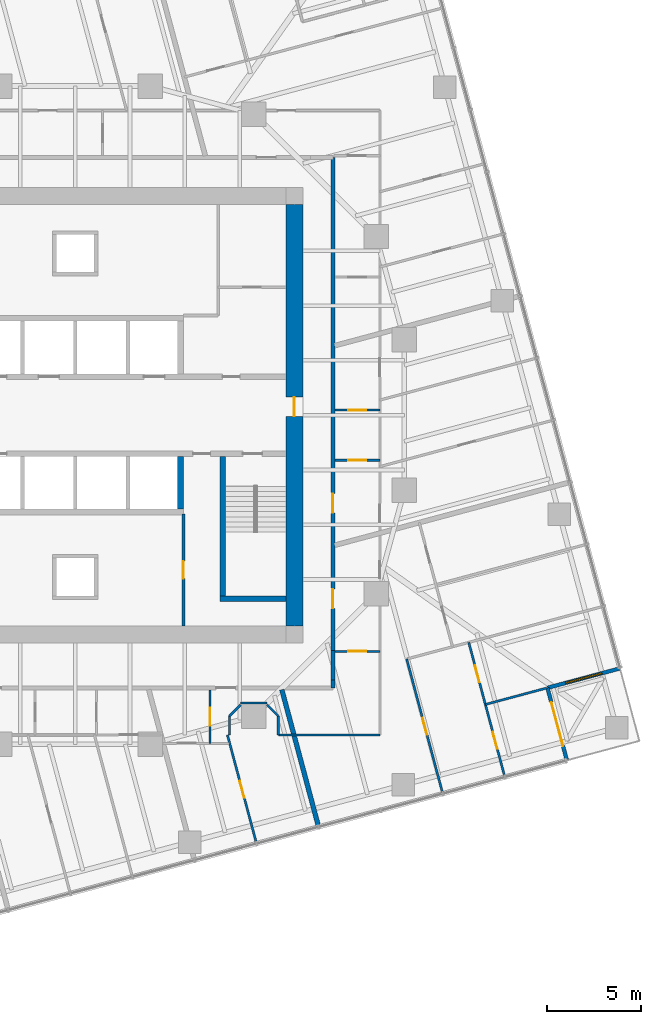
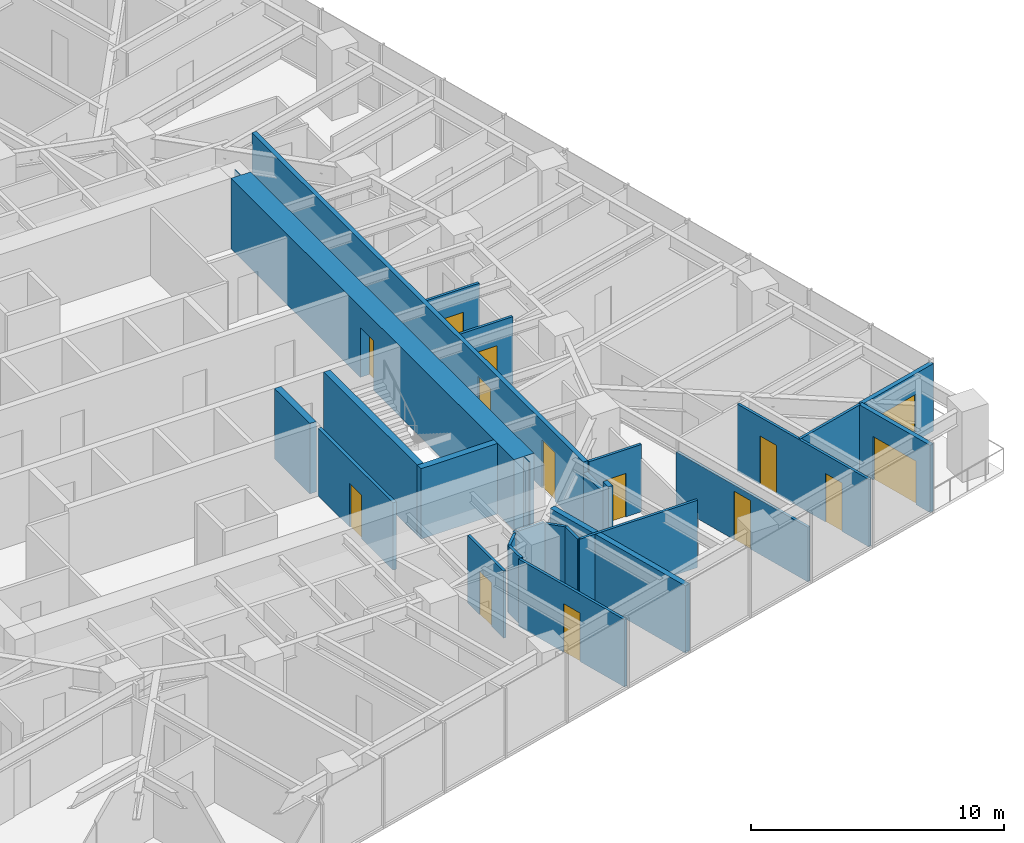
# One storey, part 10 of 14: 25 walls, 13 doors, 1 window, 14 openings.
"""IFC4 building model written with IfcOpenShell, lengths in metres."""

import ifcopenshell
import ifcopenshell.guid

model = None  # the IFC model being written
_history = None  # IfcOwnerHistory: only IFC2X3 demands one
_inside = {}  # id of a spatial element -> (the spatial element, [elements in it])
_under = {}  # id of a project, library or spatial element -> (it, [spatial elements below it])
_declared = {}  # id of a project -> (the project, [libraries it declares])
_typed = {}  # id of a type object -> (the type object, [elements of that type])
_made_of = {}  # id of a material, layer set ... -> (it, [elements and type objects made of it])


def new_model(schema):
    """Start an empty IFC model of exactly this schema.

    Asked for "IFC4X3", IfcOpenShell would pick the latest addendum, in which some entities
    have other attributes; the version numbers below select the first issue.
    IFC2X3 requires an IfcOwnerHistory on every rooted entity: one is made here for all.
    """
    global model, _history
    if schema == "IFC4X3":
        model = ifcopenshell.file(schema_version=(4, 3, 0, 0))
    else:
        model = ifcopenshell.file(schema=schema)
    _inside.clear()
    _under.clear()
    _declared.clear()
    _typed.clear()
    _made_of.clear()
    _history = None
    if model.schema == "IFC2X3":
        org = make("IfcOrganization", Name="unknown")
        user = make(
            "IfcPersonAndOrganization",
            ThePerson=make("IfcPerson", FamilyName="unknown"),
            TheOrganization=org,
        )
        app = make(
            "IfcApplication",
            ApplicationDeveloper=org,
            Version="unknown",
            ApplicationFullName="unknown",
            ApplicationIdentifier="unknown",
        )
        _history = make(
            "IfcOwnerHistory",
            OwningUser=user,
            OwningApplication=app,
            ChangeAction="ADDED",
            CreationDate=0,
        )
    return model


def make(cls, **values):
    """One entity of the class cls with the attributes given. An attribute that is None is left unset."""
    return model.create_entity(
        cls, **{name: value for name, value in values.items() if value is not None}
    )


def rooted(cls, **values):
    """An entity with a GlobalId (a new one), such as an element, a storey or a relation."""
    return make(cls, GlobalId=ifcopenshell.guid.new(), OwnerHistory=_history, **values)


def si_unit(unit_type, name, prefix=None):
    """IfcSIUnit, for example si_unit("LENGTHUNIT", "METRE", prefix="MILLI")."""
    return make("IfcSIUnit", UnitType=unit_type, Prefix=prefix, Name=name)


def assignment(units):
    """IfcUnitAssignment: the units of a project."""
    return None if units is None else make("IfcUnitAssignment", Units=units)


def point(xyz):
    """IfcCartesianPoint."""
    return None if xyz is None else make("IfcCartesianPoint", Coordinates=xyz)


def direction(xyz):
    """IfcDirection."""
    return None if xyz is None else make("IfcDirection", DirectionRatios=xyz)


def frame(location, z_axis=None, x_axis=None):
    """IfcAxis2Placement3D, a coordinate frame: its origin and axes. An axis left out is left unset."""
    return make(
        "IfcAxis2Placement3D",
        Location=point(location),
        Axis=direction(z_axis),
        RefDirection=direction(x_axis),
    )


def frame_2d(location, x_axis=None):
    """IfcAxis2Placement2D, a coordinate frame in the plane: its origin and x axis."""
    return make(
        "IfcAxis2Placement2D", Location=point(location), RefDirection=direction(x_axis)
    )


def origin():
    """The frame at (0, 0, 0) with its axes left unset."""
    return frame((0.0, 0.0, 0.0))


def place(relative_to, where):
    """IfcLocalPlacement: puts the frame where relative to a parent placement (None: the world)."""
    return make(
        "IfcLocalPlacement", PlacementRelTo=relative_to, RelativePlacement=where
    )


def context(
    kind, dimensions, precision=None, world=None, true_north=None, identifier=None
):
    """IfcGeometricRepresentationContext, for example the 3D "Model" context."""
    return make(
        "IfcGeometricRepresentationContext",
        ContextIdentifier=identifier,
        ContextType=kind,
        CoordinateSpaceDimension=dimensions,
        Precision=precision,
        WorldCoordinateSystem=world,
        TrueNorth=true_north,
    )


def subcontext(parent, identifier, kind, view, scale=None):
    """IfcGeometricRepresentationSubContext, for example "Body" below "Model"."""
    return make(
        "IfcGeometricRepresentationSubContext",
        ContextIdentifier=identifier,
        ContextType=kind,
        ParentContext=parent,
        TargetScale=scale,
        TargetView=view,
    )


def project(units=None, contexts=None):
    """IfcProject with its units and contexts."""
    return rooted(
        "IfcProject",
        Name="project",
        RepresentationContexts=contexts,
        UnitsInContext=assignment(units),
    )


def spatial(cls, under=None, at=None, **own):
    """A site, building, storey or space (cls), placed at a placement, below another one or the project."""
    s = rooted(cls, ObjectPlacement=at, **own)
    if under is not None:
        _under.setdefault(under.id(), (under, []))[1].append(s)
    return s


def polyline(points):
    """IfcPolyline through the points."""
    return make("IfcPolyline", Points=[point(p) for p in points])


def profile(cls, at=None, kind="AREA", **sizes):
    """A parametric profile (cls). Its sizes go by their IFC names, for example OverallWidth=200.0."""
    return make(cls, ProfileType=kind, Position=at, **sizes)


def rectangle(**sizes):
    """IfcRectangleProfileDef."""
    return profile("IfcRectangleProfileDef", **sizes)


def outline(outer, holes=None, kind="AREA"):
    """IfcArbitraryClosedProfileDef: a profile drawn as a closed curve; with holes, ...WithVoids."""
    if holes is None:
        return make("IfcArbitraryClosedProfileDef", ProfileType=kind, OuterCurve=outer)
    return make(
        "IfcArbitraryProfileDefWithVoids",
        ProfileType=kind,
        OuterCurve=outer,
        InnerCurves=holes,
    )


def extrude(swept, where, along, depth):
    """IfcExtrudedAreaSolid: the profile swept, set in the frame where, extruded along a direction by depth."""
    return make(
        "IfcExtrudedAreaSolid",
        SweptArea=swept,
        Position=where,
        ExtrudedDirection=direction(along),
        Depth=depth,
    )


def shape(context_of_items, identifier, shape_type, items):
    """IfcShapeRepresentation: the items that make up one representation, for example the "Body"."""
    return make(
        "IfcShapeRepresentation",
        ContextOfItems=context_of_items,
        RepresentationIdentifier=identifier,
        RepresentationType=shape_type,
        Items=items,
    )


def material(Name=None, Category=None):
    """IfcMaterial."""
    return make("IfcMaterial", Name=Name, Category=Category)


def layer(
    of_material, thickness, ventilated=None, Name=None, Category=None, Priority=None
):
    """IfcMaterialLayer: one layer of a wall or slab, of a material (None: an air gap)."""
    return make(
        "IfcMaterialLayer",
        Material=of_material,
        LayerThickness=thickness,
        IsVentilated=ventilated,
        Name=Name,
        Category=Category,
        Priority=Priority,
    )


def layer_set(layers, Name=None):
    """IfcMaterialLayerSet."""
    return make("IfcMaterialLayerSet", MaterialLayers=layers, LayerSetName=Name)


def made_of(thing, what):
    """Note that an element or type object is made of a material, layer set ...; save() writes the relation."""
    if what is not None:
        _made_of.setdefault(what.id(), (what, []))[1].append(thing)
    return thing


def type_object(cls, material=None, **own):
    """A type object (cls), such as IfcWallType, which elements share."""
    return made_of(rooted(cls, **own), material)


def element(
    cls,
    number,
    at=None,
    inside=None,
    cuts=None,
    type_object=None,
    material=None,
    context=None,
    identifier="Body",
    shape_type=None,
    held_by="IfcProductDefinitionShape",
    body=None,
    shapes=None,
    **own,
):
    """One element of the class cls, such as IfcWall. Its Tag is "e" and its number.

    at: its placement. inside: the storey or other place that contains it. cuts: it is an
    opening in that element (IfcRelVoidsElement). A single representation is given by context,
    identifier, shape_type and body (its items); several are given by shapes. held_by: the class
    of the entity that holds the representations. save() writes the other relations.
    """
    e = rooted(cls, Tag="e%d" % number, ObjectPlacement=at, **own)
    if body is not None:
        shapes = [shape(context, identifier, shape_type, body)]
    if shapes is not None:
        e.Representation = make(held_by, Representations=shapes)
    if inside is not None:
        _inside.setdefault(inside.id(), (inside, []))[1].append(e)
    if cuts is not None:
        rooted(
            "IfcRelVoidsElement", RelatingBuildingElement=cuts, RelatedOpeningElement=e
        )
    if type_object is not None:
        _typed.setdefault(type_object.id(), (type_object, []))[1].append(e)
    return made_of(e, material)


def fill(opening, filler):
    """IfcRelFillsElement: the door or window that sits in an opening."""
    return rooted(
        "IfcRelFillsElement",
        RelatingOpeningElement=opening,
        RelatedBuildingElement=filler,
    )


def aggregate(whole, parts):
    """IfcRelAggregates: a whole, such as a stair, and the parts it consists of."""
    return rooted("IfcRelAggregates", RelatingObject=whole, RelatedObjects=parts)


def save(model, path):
    """Write the relations noted so far, then the file.

    IfcRelAggregates (storeys below a building ...), IfcRelContainedInSpatialStructure (elements
    in a storey), IfcRelDefinesByType, IfcRelAssociatesMaterial and IfcRelDeclares: one each for
    every whole, place, type object, material and project.
    """
    for whole, parts in _under.values():
        aggregate(whole, parts)
    for where, things in _inside.values():
        rooted(
            "IfcRelContainedInSpatialStructure",
            RelatedElements=things,
            RelatingStructure=where,
        )
    for kind, things in _typed.values():
        rooted("IfcRelDefinesByType", RelatedObjects=things, RelatingType=kind)
    for what, things in _made_of.values():
        rooted("IfcRelAssociatesMaterial", RelatedObjects=things, RelatingMaterial=what)
    for by, libraries in _declared.values():
        rooted("IfcRelDeclares", RelatingContext=by, RelatedDefinitions=libraries)
    model.write(path)


model = new_model("IFC4")

# Units and contexts
model_context = context("Model", 3, precision=1e-05, world=origin(), true_north=direction((0.0, 1.0)))
body_context = subcontext(model_context, "Body", "Model", "MODEL_VIEW")
ifc_project = project(units=[si_unit("LENGTHUNIT", "METRE"), si_unit("AREAUNIT", "SQUARE_METRE"), si_unit("VOLUMEUNIT", "CUBIC_METRE"), si_unit("PLANEANGLEUNIT", "RADIAN"), si_unit("MASSUNIT", "GRAM", prefix="KILO")], contexts=[model_context])

# Site, building, storey
site_placement = place(None, origin())
site = spatial("IfcSite", under=ifc_project, at=site_placement, CompositionType="ELEMENT")
building_placement = place(site_placement, origin())
building = spatial("IfcBuilding", under=site, at=building_placement, Name="Torsade Residences", CompositionType="ELEMENT")
storey_placement = place(building_placement, frame((0.0, 0.0, 125.199951171875)))
storey = spatial("IfcBuildingStorey", under=building, at=storey_placement, Name="L34", CompositionType="ELEMENT", Elevation=125.199951171875)

# Walls
ifc_material_1 = material(Name="Concrete 80 MPa", Category="concrete")
ifc_layer_1 = layer(ifc_material_1, 0.300048828125)
ifc_layer_set_1 = layer_set([ifc_layer_1], Name="Concrete 80 MPa")
wall_type_1 = type_object("IfcWallType", Name="CORE INTERNAL WALL 300", PredefinedType="SHEAR", material=ifc_layer_set_1)
wall_1_placement = place(storey_placement, frame((45.60009765625, 27.800048828125, 0.0), z_axis=(0.0, 0.0, 1.0), x_axis=(0.0, -1.0, 0.0)))
element("IfcWall", 1, at=wall_1_placement, inside=storey, type_object=wall_type_1, Name="Core wall DS0 L34", PredefinedType="SHEAR", context=body_context, shape_type="SweptSolid", body=[
    extrude(rectangle(XDim=2.800048828125, YDim=0.300048828125, at=frame_2d((1.39990234375, 0.0))), origin(), (0.0, 0.0, 1.0), 3.400146484375),
])
wall_2_placement = place(storey_placement, frame((47.85009765625, 27.800048828125, 0.0), z_axis=(0.0, 0.0, 1.0), x_axis=(0.0, -1.0, 0.0)))
element("IfcWall", 2, at=wall_2_placement, inside=storey, type_object=wall_type_1, Name="Core wall ST2W L34", PredefinedType="SHEAR", context=body_context, shape_type="SweptSolid", body=[
    extrude(rectangle(XDim=7.699951171875, YDim=0.300048828125, at=frame_2d((3.85009765625, 0.0))), origin(), (0.0, 0.0, 1.0), 3.400146484375),
])
wall_3_placement = place(storey_placement, frame((51.199951171875, 20.25, 0.0), z_axis=(0.0, 0.0, 1.0), x_axis=(-1.0, 0.0, 0.0)))
element("IfcWall", 3, at=wall_3_placement, inside=storey, type_object=wall_type_1, Name="Core wall ST2S L34", PredefinedType="SHEAR", context=body_context, shape_type="SweptSolid", body=[
    extrude(rectangle(XDim=3.5, YDim=0.300048828125, at=frame_2d((1.75, 0.0))), origin(), (0.0, 0.0, 1.0), 3.400146484375),
])

# Wall, opening, door
ifc_material_2 = material(Name="Concrete 80 MPa", Category="concrete")
ifc_layer_2 = layer(ifc_material_2, 0.89990234375)
ifc_layer_set_2 = layer_set([ifc_layer_2], Name="Concrete 80 MPa")
wall_type_2 = type_object("IfcWallType", Name="CORE WALL 900", PredefinedType="SHEAR", material=ifc_layer_set_2)
wall_4_placement = place(storey_placement, frame((51.64990234375, 18.800048828125, 0.0), z_axis=(0.0, 0.0, 1.0), x_axis=(0.0, 1.0, 0.0)))
wall_4 = element("IfcWall", 4, at=wall_4_placement, inside=storey, type_object=wall_type_2, Name="Core wall E L34", PredefinedType="SHEAR", context=body_context, shape_type="SweptSolid", body=[
    extrude(outline(polyline([(0.0, -0.449951171875), (22.39990234375, -0.449951171875), (22.39990234375, -0.02490234375), (22.849853515625, -0.02490234375), (22.849853515625, 0.02490234375), (22.39990234375, 0.02490234375), (22.39990234375, 0.449951171875), (0.0, 0.449951171875), (0.0, 0.02490234375), (-0.449951171875, 0.02490234375), (-0.449951171875, -0.02490234375), (0.0, -0.02490234375), (0.0, -0.449951171875)])), origin(), (0.0, 0.0, 1.0), 3.400146484375),
])
opening_1_placement = place(wall_4_placement, frame((11.139892578125, 0.0, 0.0)))
opening_1 = element("IfcOpeningElement", 5, at=opening_1_placement, cuts=wall_4, Name="Opening D04", PredefinedType="OPENING", context=body_context, shape_type="SweptSolid", body=[
    extrude(rectangle(XDim=1.02001953125, YDim=2.39990234375, at=frame_2d((0.510009765625, 1.199951171875))), frame((0.0, 0.4599609375, 0.0), z_axis=(0.0, -1.0, 0.0), x_axis=(1.0, 0.0, 0.0)), (0.0, 0.0, 1.0), 0.919921875),
])
ifc_material_3 = material(Name="Steel-framed fire door", Category="steel")
door_type_1 = type_object("IfcDoorType", Name="LOBBY SMOKE DOOR 1020x2400", OperationType="NOTDEFINED", PredefinedType="DOOR", material=ifc_material_3)
door_1_placement = place(opening_1_placement, origin())
door_1 = element("IfcDoor", 6, at=door_1_placement, inside=storey, type_object=door_type_1, Name="Lift lobby door E L34", OperationType="SINGLE_SWING_LEFT", OverallHeight=2.39990234375, OverallWidth=1.02001953125, PredefinedType="DOOR", context=body_context, shape_type="SweptSolid", body=[
    extrude(rectangle(XDim=1.02001953125, YDim=2.39990234375, at=frame_2d((0.510009765625, 1.199951171875))), frame((0.0, 0.02490234375, 0.0), z_axis=(0.0, -1.0, 0.0), x_axis=(1.0, 0.0, 0.0)), (0.0, 0.0, 1.0), 0.050048828125),
])
fill(opening_1, door_1)

# Walls
ifc_material_4 = material(Name="Plasterboard on steel stud", Category="steel")
ifc_layer_3 = layer(ifc_material_4, 0.199951171875)
ifc_layer_set_3 = layer_set([ifc_layer_3], Name="Plasterboard on steel stud")
wall_type_3 = type_object("IfcWallType", Name="CORRIDOR WALL 200", PredefinedType="PARTITIONING", material=ifc_layer_set_3)
wall_5_placement = place(storey_placement, frame((53.699951171875, 15.5, 0.0), z_axis=(0.0, 0.0, 1.0), x_axis=(0.0, 1.0, 0.0)))
element("IfcWall", 7, at=wall_5_placement, inside=storey, type_object=wall_type_3, Name="Corridor wall L34", PredefinedType="PARTITIONING", context=body_context, shape_type="SweptSolid", body=[
    extrude(rectangle(XDim=0.426025390625, YDim=0.199951171875, at=frame_2d((0.212890625, 0.0))), origin(), (0.0, 0.0, 1.0), 3.25),
])
wall_6_placement = place(storey_placement, frame((53.699951171875, 15.926025390625, 0.0), z_axis=(0.0, 0.0, 1.0), x_axis=(0.0, 1.0, 0.0)))
element("IfcWall", 8, at=wall_6_placement, inside=storey, type_object=wall_type_3, Name="Corridor wall L34", PredefinedType="PARTITIONING", context=body_context, shape_type="SweptSolid", body=[
    extrude(rectangle(XDim=1.553955078125, YDim=0.199951171875, at=frame_2d((0.77685546875, 0.0))), origin(), (0.0, 0.0, 1.0), 2.72216796875),
])

# Wall, openings, doors
wall_7_placement = place(storey_placement, frame((53.699951171875, 17.47998046875, 0.0), z_axis=(0.0, 0.0, 1.0), x_axis=(0.0, 1.0, 0.0)))
wall_7 = element("IfcWall", 9, at=wall_7_placement, inside=storey, type_object=wall_type_3, Name="Corridor wall L34", PredefinedType="PARTITIONING", context=body_context, shape_type="SweptSolid", body=[
    extrude(rectangle(XDim=26.219970703125, YDim=0.199951171875, at=frame_2d((13.10986328125, 0.0))), origin(), (0.0, 0.0, 1.0), 3.25),
])
opening_2_placement = place(wall_7_placement, frame((2.251708984375, 0.0, 0.0)))
opening_2 = element("IfcOpeningElement", 10, at=opening_2_placement, cuts=wall_7, Name="Opening D01", PredefinedType="OPENING", context=body_context, shape_type="SweptSolid", body=[
    extrude(rectangle(XDim=1.02001953125, YDim=2.340087890625, at=frame_2d((0.510009765625, 1.169921875))), frame((0.0, 0.10986328125, 0.0), z_axis=(0.0, -1.0, 0.0), x_axis=(1.0, 0.0, 0.0)), (0.0, 0.0, 1.0), 0.219970703125),
])
opening_3_placement = place(wall_7_placement, frame((7.32763671875, 0.0, 0.0)))
opening_3 = element("IfcOpeningElement", 11, at=opening_3_placement, cuts=wall_7, Name="Opening D01", PredefinedType="OPENING", context=body_context, shape_type="SweptSolid", body=[
    extrude(rectangle(XDim=1.02001953125, YDim=2.340087890625, at=frame_2d((0.510009765625, 1.169921875))), frame((0.0, 0.10986328125, 0.0), z_axis=(0.0, -1.0, 0.0), x_axis=(1.0, 0.0, 0.0)), (0.0, 0.0, 1.0), 0.219970703125),
])
ifc_material_5 = material(Name="Solid-core timber fire door", Category="wood")
door_type_2 = type_object("IfcDoorType", Name="APARTMENT ENTRY DOOR 1020x2340", OperationType="NOTDEFINED", PredefinedType="DOOR", material=ifc_material_5)
door_2_placement = place(opening_2_placement, origin())
door_2 = element("IfcDoor", 12, at=door_2_placement, inside=storey, type_object=door_type_2, Name="Door Residential corridor to Kitchen and dining", OperationType="SINGLE_SWING_LEFT", OverallHeight=2.340087890625, OverallWidth=1.02001953125, PredefinedType="DOOR", context=body_context, shape_type="SweptSolid", body=[
    extrude(rectangle(XDim=1.02001953125, YDim=2.340087890625, at=frame_2d((0.510009765625, 1.169921875))), frame((0.0, 0.02490234375, 0.0), z_axis=(0.0, -1.0, 0.0), x_axis=(1.0, 0.0, 0.0)), (0.0, 0.0, 1.0), 0.050048828125),
])
fill(opening_2, door_2)
door_3_placement = place(opening_3_placement, origin())
door_3 = element("IfcDoor", 13, at=door_3_placement, inside=storey, type_object=door_type_2, Name="Door Residential corridor to Kitchen and dining", OperationType="SINGLE_SWING_LEFT", OverallHeight=2.340087890625, OverallWidth=1.02001953125, PredefinedType="DOOR", context=body_context, shape_type="SweptSolid", body=[
    extrude(rectangle(XDim=1.02001953125, YDim=2.340087890625, at=frame_2d((0.510009765625, 1.169921875))), frame((0.0, 0.02490234375, 0.0), z_axis=(0.0, -1.0, 0.0), x_axis=(1.0, 0.0, 0.0)), (0.0, 0.0, 1.0), 0.050048828125),
])
fill(opening_3, door_3)

# Wall, opening, door
ifc_material_6 = material(Name="Plasterboard on steel stud", Category="steel")
ifc_layer_4 = layer(ifc_material_6, 0.1201171875)
ifc_layer_set_4 = layer_set([ifc_layer_4], Name="Plasterboard on steel stud")
wall_type_4 = type_object("IfcWallType", Name="PARTITION 120", PredefinedType="PARTITIONING", material=ifc_layer_set_4)
wall_8_placement = place(storey_placement, frame((47.1669921875, 12.550048828125, 0.0), z_axis=(0.0, 0.0, 1.0), x_axis=(0.0, 1.0, 0.0)))
wall_8 = element("IfcWall", 14, at=wall_8_placement, inside=storey, type_object=wall_type_4, Name="Partition L34", PredefinedType="PARTITIONING", context=body_context, shape_type="SweptSolid", body=[
    extrude(rectangle(XDim=2.849853515625, YDim=0.1201171875, at=frame_2d((1.4248046875, 0.0))), origin(), (0.0, 0.0, 1.0), 3.25),
])
opening_4_placement = place(wall_8_placement, frame((0.945068359375, 0.0, 0.0)))
opening_4 = element("IfcOpeningElement", 15, at=opening_4_placement, cuts=wall_8, Name="Opening D05", PredefinedType="OPENING", context=body_context, shape_type="SweptSolid", body=[
    extrude(rectangle(XDim=0.9599609375, YDim=2.10009765625, at=frame_2d((0.47998046875, 1.050048828125))), frame((0.0, 0.070068359375, 0.0), z_axis=(0.0, -1.0, 0.0), x_axis=(1.0, 0.0, 0.0)), (0.0, 0.0, 1.0), 0.14013671875),
])
ifc_material_7 = material(Name="Hollow-core timber door in a steel cavity frame", Category="steel")
door_type_3 = type_object("IfcDoorType", Name="BATHROOM CAVITY SLIDING DOOR 960", OperationType="SLIDING_TO_LEFT", PredefinedType="DOOR", material=ifc_material_7)
door_4_placement = place(opening_4_placement, origin())
door_4 = element("IfcDoor", 16, at=door_4_placement, inside=storey, type_object=door_type_3, Name="Door Kitchen and dining to Bathroom", OperationType="SLIDING_TO_LEFT", OverallHeight=2.10009765625, OverallWidth=0.9599609375, PredefinedType="DOOR", context=body_context, shape_type="SweptSolid", body=[
    extrude(rectangle(XDim=0.9599609375, YDim=2.10009765625, at=frame_2d((0.47998046875, 1.050048828125))), frame((0.0, 0.02490234375, 0.0), z_axis=(0.0, -1.0, 0.0), x_axis=(1.0, 0.0, 0.0)), (0.0, 0.0, 1.0), 0.050048828125),
])
fill(opening_4, door_4)

# Walls
wall_9_placement = place(storey_placement, frame((56.199951171875, 13.0, 0.0), z_axis=(0.0, 0.0, 1.0), x_axis=(-1.0, 0.0, 0.0)))
element("IfcWall", 17, at=wall_9_placement, inside=storey, type_object=wall_type_4, Name="Partition L34", PredefinedType="PARTITIONING", context=body_context, shape_type="SweptSolid", body=[
    extrude(rectangle(XDim=5.39990234375, YDim=0.1201171875, at=frame_2d((2.699951171875, 0.0))), origin(), (0.0, 0.0, 1.0), 3.25),
])
wall_10_placement = place(storey_placement, frame((50.800048828125, 13.0, 0.0), z_axis=(0.0, 0.0, 1.0), x_axis=(0.0, 1.0, 0.0)))
element("IfcWall", 18, at=wall_10_placement, inside=storey, type_object=wall_type_4, Name="Partition L34", PredefinedType="PARTITIONING", context=body_context, shape_type="SweptSolid", body=[
    extrude(rectangle(XDim=1.0, YDim=0.1201171875, at=frame_2d((0.5, 0.0))), origin(), (0.0, 0.0, 1.0), 3.25),
])
wall_11_placement = place(storey_placement, frame((50.800048828125, 14.0, 0.0), z_axis=(0.0, 0.0, 1.0), x_axis=(-0.707106781187, 0.707106781187, 0.0)))
element("IfcWall", 19, at=wall_11_placement, inside=storey, type_object=wall_type_4, Name="Partition L34", PredefinedType="PARTITIONING", context=body_context, shape_type="SweptSolid", body=[
    extrude(rectangle(XDim=0.8486328125, YDim=0.1201171875, at=frame_2d((0.42431640625, 0.0))), origin(), (0.0, 0.0, 1.0), 3.25),
])
wall_12_placement = place(storey_placement, frame((50.199951171875, 14.699951171875, 0.0), z_axis=(0.0, 0.0, 1.0), x_axis=(-1.0, 0.0, 0.0)))
element("IfcWall", 20, at=wall_12_placement, inside=storey, type_object=wall_type_4, Name="Partition L34", PredefinedType="PARTITIONING", context=body_context, shape_type="SweptSolid", body=[
    extrude(rectangle(XDim=1.39990234375, YDim=0.1201171875, at=frame_2d((0.699951171875, 0.0))), origin(), (0.0, 0.0, 1.0), 3.25),
])
wall_13_placement = place(storey_placement, frame((48.800048828125, 14.60009765625, 0.0), z_axis=(0.0, 0.0, 1.0), x_axis=(-0.707106781187, -0.707106781187, 0.0)))
element("IfcWall", 21, at=wall_13_placement, inside=storey, type_object=wall_type_4, Name="Partition L34", PredefinedType="PARTITIONING", context=body_context, shape_type="SweptSolid", body=[
    extrude(rectangle(XDim=0.8486328125, YDim=0.1201171875, at=frame_2d((0.42431640625, 0.0))), origin(), (0.0, 0.0, 1.0), 3.25),
])
wall_14_placement = place(storey_placement, frame((48.199951171875, 14.0, 0.0), z_axis=(0.0, 0.0, 1.0), x_axis=(0.0, -1.0, 0.0)))
element("IfcWall", 22, at=wall_14_placement, inside=storey, type_object=wall_type_4, Name="Partition L34", PredefinedType="PARTITIONING", context=body_context, shape_type="SweptSolid", body=[
    extrude(rectangle(XDim=1.0, YDim=0.1201171875, at=frame_2d((0.5, 0.0))), origin(), (0.0, 0.0, 1.0), 3.25),
])

# Wall, opening, door
wall_15_placement = place(storey_placement, frame((48.09228515625, 13.0, 0.0), z_axis=(0.0, 0.0, 1.0), x_axis=(0.258812722515, -0.965927520399, 0.0)))
wall_15 = element("IfcWall", 23, at=wall_15_placement, inside=storey, type_object=wall_type_4, Name="Partition L34", PredefinedType="PARTITIONING", context=body_context, shape_type="SweptSolid", body=[
    extrude(rectangle(XDim=5.94482421875, YDim=0.1201171875, at=frame_2d((2.972412109375, 0.0))), origin(), (0.0, 0.0, 1.0), 3.25),
])
opening_5_placement = place(wall_15_placement, frame((2.532470703125, 0.0, 0.0)))
opening_5 = element("IfcOpeningElement", 24, at=opening_5_placement, cuts=wall_15, Name="Opening D02", PredefinedType="OPENING", context=body_context, shape_type="SweptSolid", body=[
    extrude(rectangle(XDim=0.919921875, YDim=2.340087890625, at=frame_2d((0.4599609375, 1.169921875))), frame((0.0, 0.070068359375, 0.0), z_axis=(0.0, -1.0, 0.0), x_axis=(1.0, 0.0, 0.0)), (0.0, 0.0, 1.0), 0.14013671875),
])
ifc_material_8 = material(Name="Hollow-core timber door", Category="wood")
door_type_4 = type_object("IfcDoorType", Name="INTERNAL DOOR 920x2340", OperationType="NOTDEFINED", PredefinedType="DOOR", material=ifc_material_8)
door_5_placement = place(opening_5_placement, origin())
door_5 = element("IfcDoor", 25, at=door_5_placement, inside=storey, type_object=door_type_4, Name="Door Living room to Bedroom 1", OperationType="SINGLE_SWING_LEFT", OverallHeight=2.340087890625, OverallWidth=0.919921875, PredefinedType="DOOR", context=body_context, shape_type="SweptSolid", body=[
    extrude(rectangle(XDim=0.919921875, YDim=2.340087890625, at=frame_2d((0.4599609375, 1.169921875))), frame((0.0, 0.02490234375, 0.0), z_axis=(0.0, -1.0, 0.0), x_axis=(1.0, 0.0, 0.0)), (0.0, 0.0, 1.0), 0.050048828125),
])
fill(opening_5, door_5)

wall_16_placement = place(storey_placement, frame((56.199951171875, 17.441650390625, 0.0), z_axis=(0.0, 0.0, 1.0), x_axis=(-1.0, 0.0, 0.0)))
wall_16 = element("IfcWall", 26, at=wall_16_placement, inside=storey, type_object=wall_type_4, Name="Partition L34", PredefinedType="PARTITIONING", context=body_context, shape_type="SweptSolid", body=[
    extrude(rectangle(XDim=2.39990234375, YDim=0.1201171875, at=frame_2d((1.199951171875, 0.0))), origin(), (0.0, 0.0, 1.0), 3.25),
])
opening_6_placement = place(wall_16_placement, frame((0.719970703125, 0.0, 0.0)))
opening_6 = element("IfcOpeningElement", 27, at=opening_6_placement, cuts=wall_16, Name="Opening D05", PredefinedType="OPENING", context=body_context, shape_type="SweptSolid", body=[
    extrude(rectangle(XDim=0.9599609375, YDim=2.10009765625, at=frame_2d((0.47998046875, 1.050048828125))), frame((0.0, 0.070068359375, 0.0), z_axis=(0.0, -1.0, 0.0), x_axis=(1.0, 0.0, 0.0)), (0.0, 0.0, 1.0), 0.14013671875),
])
door_6_placement = place(opening_6_placement, origin())
door_6 = element("IfcDoor", 28, at=door_6_placement, inside=storey, type_object=door_type_3, Name="Door Kitchen and dining to Bathroom", OperationType="SLIDING_TO_LEFT", OverallHeight=2.10009765625, OverallWidth=0.9599609375, PredefinedType="DOOR", context=body_context, shape_type="SweptSolid", body=[
    extrude(rectangle(XDim=0.9599609375, YDim=2.10009765625, at=frame_2d((0.47998046875, 1.050048828125))), frame((0.0, 0.02490234375, 0.0), z_axis=(0.0, -1.0, 0.0), x_axis=(1.0, 0.0, 0.0)), (0.0, 0.0, 1.0), 0.050048828125),
])
fill(opening_6, door_6)

wall_17_placement = place(storey_placement, frame((57.62255859375, 17.035888671875, 0.0), z_axis=(0.0, 0.0, 1.0), x_axis=(0.258816044185, -0.965926630377, 0.0)))
wall_17 = element("IfcWall", 29, at=wall_17_placement, inside=storey, type_object=wall_type_4, Name="Partition L34", PredefinedType="PARTITIONING", context=body_context, shape_type="SweptSolid", body=[
    extrude(rectangle(XDim=7.376708984375, YDim=0.1201171875, at=frame_2d((3.6884765625, 0.0))), origin(), (0.0, 0.0, 1.0), 2.637939453125),
])
opening_7_placement = place(wall_17_placement, frame((3.248291015625, 0.0, 0.0)))
opening_7 = element("IfcOpeningElement", 30, at=opening_7_placement, cuts=wall_17, Name="Opening D02", PredefinedType="OPENING", context=body_context, shape_type="SweptSolid", body=[
    extrude(rectangle(XDim=0.919921875, YDim=2.340087890625, at=frame_2d((0.4599609375, 1.169921875))), frame((0.0, 0.070068359375, 0.0), z_axis=(0.0, -1.0, 0.0), x_axis=(1.0, 0.0, 0.0)), (0.0, 0.0, 1.0), 0.14013671875),
])
door_7_placement = place(opening_7_placement, origin())
door_7 = element("IfcDoor", 31, at=door_7_placement, inside=storey, type_object=door_type_4, Name="Door Living room to Bedroom 3", OperationType="SINGLE_SWING_RIGHT", OverallHeight=2.340087890625, OverallWidth=0.919921875, PredefinedType="DOOR", context=body_context, shape_type="SweptSolid", body=[
    extrude(rectangle(XDim=0.919921875, YDim=2.340087890625, at=frame_2d((0.4599609375, 1.169921875))), frame((0.0, 0.02490234375, 0.0), z_axis=(0.0, -1.0, 0.0), x_axis=(1.0, 0.0, 0.0)), (0.0, 0.0, 1.0), 0.050048828125),
])
fill(opening_7, door_7)

# Wall, openings, doors
wall_18_placement = place(storey_placement, frame((60.922607421875, 17.920166015625, 0.0), z_axis=(0.0, 0.0, 1.0), x_axis=(0.258846923464, -0.965918355874, 0.0)))
wall_18 = element("IfcWall", 32, at=wall_18_placement, inside=storey, type_object=wall_type_4, Name="Partition L34", PredefinedType="PARTITIONING", context=body_context, shape_type="SweptSolid", body=[
    extrude(rectangle(XDim=7.376708984375, YDim=0.1201171875, at=frame_2d((3.6884765625, 0.0))), origin(), (0.0, 0.0, 1.0), 3.25),
])
opening_8_placement = place(wall_18_placement, frame((4.931640625, 0.0, 0.0)))
opening_8 = element("IfcOpeningElement", 33, at=opening_8_placement, cuts=wall_18, Name="Opening D02", PredefinedType="OPENING", context=body_context, shape_type="SweptSolid", body=[
    extrude(rectangle(XDim=0.919921875, YDim=2.340087890625, at=frame_2d((0.4599609375, 1.169921875))), frame((0.0, 0.070068359375, 0.0), z_axis=(0.0, -1.0, 0.0), x_axis=(1.0, 0.0, 0.0)), (0.0, 0.0, 1.0), 0.14013671875),
])
opening_9_placement = place(wall_18_placement, frame((1.2734375, 0.0, 0.0)))
opening_9 = element("IfcOpeningElement", 34, at=opening_9_placement, cuts=wall_18, Name="Opening D02", PredefinedType="OPENING", context=body_context, shape_type="SweptSolid", body=[
    extrude(rectangle(XDim=0.919921875, YDim=2.340087890625, at=frame_2d((0.4599609375, 1.169921875))), frame((0.0, 0.070068359375, 0.0), z_axis=(0.0, -1.0, 0.0), x_axis=(1.0, 0.0, 0.0)), (0.0, 0.0, 1.0), 0.14013671875),
])
door_8_placement = place(opening_8_placement, origin())
door_8 = element("IfcDoor", 35, at=door_8_placement, inside=storey, type_object=door_type_4, Name="Door Bedroom 3 to Family room", OperationType="SINGLE_SWING_LEFT", OverallHeight=2.340087890625, OverallWidth=0.919921875, PredefinedType="DOOR", context=body_context, shape_type="SweptSolid", body=[
    extrude(rectangle(XDim=0.919921875, YDim=2.340087890625, at=frame_2d((0.4599609375, 1.169921875))), frame((0.0, 0.02490234375, 0.0), z_axis=(0.0, -1.0, 0.0), x_axis=(1.0, 0.0, 0.0)), (0.0, 0.0, 1.0), 0.050048828125),
])
fill(opening_8, door_8)
door_9_placement = place(opening_9_placement, origin())
door_9 = element("IfcDoor", 36, at=door_9_placement, inside=storey, type_object=door_type_4, Name="Door Bedroom 3 to Study", OperationType="SINGLE_SWING_RIGHT", OverallHeight=2.340087890625, OverallWidth=0.919921875, PredefinedType="DOOR", context=body_context, shape_type="SweptSolid", body=[
    extrude(rectangle(XDim=0.919921875, YDim=2.340087890625, at=frame_2d((0.4599609375, 1.169921875))), frame((0.0, 0.02490234375, 0.0), z_axis=(0.0, -1.0, 0.0), x_axis=(1.0, 0.0, 0.0)), (0.0, 0.0, 1.0), 0.050048828125),
])
fill(opening_9, door_9)

# Wall
wall_19_placement = place(storey_placement, frame((65.068603515625, 15.493896484375, 0.0), z_axis=(0.0, 0.0, 1.0), x_axis=(-0.96593546512, -0.258783069815, 0.0)))
element("IfcWall", 37, at=wall_19_placement, inside=storey, type_object=wall_type_4, Name="Partition L34", PredefinedType="PARTITIONING", context=body_context, shape_type="SweptSolid", body=[
    extrude(rectangle(XDim=3.37646484375, YDim=0.1201171875, at=frame_2d((1.688232421875, 0.0))), origin(), (0.0, 0.0, 1.0), 3.25),
])

# Wall, opening, door
wall_20_placement = place(storey_placement, frame((53.800048828125, 27.611083984375, 0.0), z_axis=(0.0, 0.0, 1.0), x_axis=(1.0, 0.0, 0.0)))
wall_20 = element("IfcWall", 38, at=wall_20_placement, inside=storey, type_object=wall_type_4, Name="Partition L34", PredefinedType="PARTITIONING", context=body_context, shape_type="SweptSolid", body=[
    extrude(rectangle(XDim=2.39990234375, YDim=0.1201171875, at=frame_2d((1.199951171875, 0.0))), origin(), (0.0, 0.0, 1.0), 3.25),
])
opening_10_placement = place(wall_20_placement, frame((0.719970703125, 0.0, 0.0)))
opening_10 = element("IfcOpeningElement", 39, at=opening_10_placement, cuts=wall_20, Name="Opening D05", PredefinedType="OPENING", context=body_context, shape_type="SweptSolid", body=[
    extrude(rectangle(XDim=0.9599609375, YDim=2.10009765625, at=frame_2d((0.47998046875, 1.050048828125))), frame((0.0, 0.070068359375, 0.0), z_axis=(0.0, -1.0, 0.0), x_axis=(1.0, 0.0, 0.0)), (0.0, 0.0, 1.0), 0.14013671875),
])
door_10_placement = place(opening_10_placement, origin())
door_10 = element("IfcDoor", 40, at=door_10_placement, inside=storey, type_object=door_type_3, Name="Door Kitchen and dining to Ensuite", OperationType="SLIDING_TO_LEFT", OverallHeight=2.10009765625, OverallWidth=0.9599609375, PredefinedType="DOOR", context=body_context, shape_type="SweptSolid", body=[
    extrude(rectangle(XDim=0.9599609375, YDim=2.10009765625, at=frame_2d((0.47998046875, 1.050048828125))), frame((0.0, 0.02490234375, 0.0), z_axis=(0.0, -1.0, 0.0), x_axis=(1.0, 0.0, 0.0)), (0.0, 0.0, 1.0), 0.050048828125),
])
fill(opening_10, door_10)

wall_21_placement = place(storey_placement, frame((56.199951171875, 30.272216796875, 0.0), z_axis=(0.0, 0.0, 1.0), x_axis=(-1.0, 0.0, 0.0)))
wall_21 = element("IfcWall", 41, at=wall_21_placement, inside=storey, type_object=wall_type_4, Name="Partition L34", PredefinedType="PARTITIONING", context=body_context, shape_type="SweptSolid", body=[
    extrude(rectangle(XDim=2.39990234375, YDim=0.1201171875, at=frame_2d((1.199951171875, 0.0))), origin(), (0.0, 0.0, 1.0), 3.25),
])
opening_11_placement = place(wall_21_placement, frame((0.719970703125, 0.0, 0.0)))
opening_11 = element("IfcOpeningElement", 42, at=opening_11_placement, cuts=wall_21, Name="Opening D05", PredefinedType="OPENING", context=body_context, shape_type="SweptSolid", body=[
    extrude(rectangle(XDim=0.9599609375, YDim=2.10009765625, at=frame_2d((0.47998046875, 1.050048828125))), frame((0.0, 0.070068359375, 0.0), z_axis=(0.0, -1.0, 0.0), x_axis=(1.0, 0.0, 0.0)), (0.0, 0.0, 1.0), 0.14013671875),
])
door_11_placement = place(opening_11_placement, origin())
door_11 = element("IfcDoor", 43, at=door_11_placement, inside=storey, type_object=door_type_3, Name="Door Ensuite to Bathroom", OperationType="SLIDING_TO_LEFT", OverallHeight=2.10009765625, OverallWidth=0.9599609375, PredefinedType="DOOR", context=body_context, shape_type="SweptSolid", body=[
    extrude(rectangle(XDim=0.9599609375, YDim=2.10009765625, at=frame_2d((0.47998046875, 1.050048828125))), frame((0.0, 0.02490234375, 0.0), z_axis=(0.0, -1.0, 0.0), x_axis=(1.0, 0.0, 0.0)), (0.0, 0.0, 1.0), 0.050048828125),
])
fill(opening_11, door_11)

# Wall
ifc_material_9 = material(Name="Masonry-lined stud party wall", Category="masonry")
ifc_layer_5 = layer(ifc_material_9, 0.25)
ifc_layer_set_5 = layer_set([ifc_layer_5], Name="Masonry-lined stud party wall")
wall_type_5 = type_object("IfcWallType", Name="PARTY WALL 250", PredefinedType="PARTITIONING", material=ifc_layer_set_5)
wall_22_placement = place(storey_placement, frame((52.941650390625, 8.103515625, 0.0), z_axis=(0.0, 0.0, 1.0), x_axis=(-0.258822171171, 0.965924988656, 0.0)))
element("IfcWall", 44, at=wall_22_placement, inside=storey, type_object=wall_type_5, Name="Party wall L34", PredefinedType="PARTITIONING", context=body_context, shape_type="SweptSolid", body=[
    extrude(rectangle(XDim=7.560302734375, YDim=0.25, at=frame_2d((3.7802734375, 0.0))), origin(), (0.0, 0.0, 1.0), 3.25),
])

# Wall, opening, door
ifc_material_10 = material(Name="Reinforced blockwork", Category="masonry")
ifc_layer_6 = layer(ifc_material_10, 0.14990234375)
ifc_layer_set_6 = layer_set([ifc_layer_6], Name="Reinforced blockwork")
wall_type_6 = type_object("IfcWallType", Name="SERVICE ROOM WALL 150", PredefinedType="SOLIDWALL", material=ifc_layer_set_6)
wall_23_placement = place(storey_placement, frame((45.75, 18.800048828125, 0.0), z_axis=(0.0, 0.0, 1.0), x_axis=(0.0, 1.0, 0.0)))
wall_23 = element("IfcWall", 45, at=wall_23_placement, inside=storey, type_object=wall_type_6, Name="Service room wall L34", PredefinedType="SOLIDWALL", context=body_context, shape_type="SweptSolid", body=[
    extrude(rectangle(XDim=5.949951171875, YDim=0.14990234375, at=frame_2d((2.97509765625, 0.0))), origin(), (0.0, 0.0, 1.0), 3.25),
])
opening_12_placement = place(wall_23_placement, frame((2.514892578125, 0.0, 0.0)))
opening_12 = element("IfcOpeningElement", 46, at=opening_12_placement, cuts=wall_23, Name="Opening D06", PredefinedType="OPENING", context=body_context, shape_type="SweptSolid", body=[
    extrude(rectangle(XDim=0.919921875, YDim=2.10009765625, at=frame_2d((0.4599609375, 1.050048828125))), frame((0.0, 0.0849609375, 0.0), z_axis=(0.0, -1.0, 0.0), x_axis=(1.0, 0.0, 0.0)), (0.0, 0.0, 1.0), 0.169921875),
])
ifc_material_11 = material(Name="Steel-framed fire door", Category="steel")
door_type_5 = type_object("IfcDoorType", Name="FIRE DOOR 920", OperationType="NOTDEFINED", PredefinedType="DOOR", material=ifc_material_11)
door_12_placement = place(opening_12_placement, origin())
door_12 = element("IfcDoor", 47, at=door_12_placement, inside=storey, type_object=door_type_5, Name="Door Security and data store to Communications riser room", OperationType="SINGLE_SWING_RIGHT", OverallHeight=2.10009765625, OverallWidth=0.919921875, PredefinedType="DOOR", context=body_context, shape_type="SweptSolid", body=[
    extrude(rectangle(XDim=0.919921875, YDim=2.10009765625, at=frame_2d((0.4599609375, 1.050048828125))), frame((0.0, 0.02490234375, 0.0), z_axis=(0.0, -1.0, 0.0), x_axis=(1.0, 0.0, 0.0)), (0.0, 0.0, 1.0), 0.050048828125),
])
fill(opening_12, door_12)

ifc_material_12 = material(Name="Stone-faced precast concrete 40 MPa panel", Category="masonry")
ifc_layer_7 = layer(ifc_material_12, 0.199951171875)
ifc_layer_set_7 = layer_set([ifc_layer_7], Name="Stone-faced precast concrete 40 MPa panel")
wall_type_7 = type_object("IfcWallType", Name="TERRACE WALL 200", PredefinedType="SOLIDWALL", material=ifc_layer_set_7)
wall_24_placement = place(storey_placement, frame((66.142578125, 11.640625, 0.0), z_axis=(0.0, 0.0, 1.0), x_axis=(-0.258843877716, 0.965919172068, 0.0)))
wall_24 = element("IfcWall", 48, at=wall_24_placement, inside=storey, type_object=wall_type_7, Name="Terrace wall L34 2", PredefinedType="SOLIDWALL", context=body_context, shape_type="SweptSolid", body=[
    extrude(rectangle(XDim=4.0, YDim=0.199951171875, at=frame_2d((2.0, 0.0))), origin(), (0.0, 0.0, 1.0), 3.25),
])
opening_13_placement = place(wall_24_placement, frame((0.800048828125, 0.0, 0.0)))
opening_13 = element("IfcOpeningElement", 49, at=opening_13_placement, cuts=wall_24, Name="Opening D10A", PredefinedType="OPENING", context=body_context, shape_type="SweptSolid", body=[
    extrude(rectangle(XDim=2.39990234375, YDim=2.10009765625, at=frame_2d((1.199951171875, 1.050048828125))), frame((0.0, 0.10986328125, 0.0), z_axis=(0.0, -1.0, 0.0), x_axis=(1.0, 0.0, 0.0)), (0.0, 0.0, 1.0), 0.219970703125),
])
ifc_material_13 = material(Name="Aluminium-framed glass door", Category="aluminium")
door_type_6 = type_object("IfcDoorType", Name="TERRACE SLIDING DOOR 2400x2100", OperationType="SLIDING_TO_LEFT", PredefinedType="DOOR", material=ifc_material_13)
door_13_placement = place(opening_13_placement, origin())
door_13 = element("IfcDoor", 50, at=door_13_placement, inside=storey, type_object=door_type_6, Name="Terrace door L34 2", OperationType="SLIDING_TO_LEFT", OverallHeight=2.10009765625, OverallWidth=2.39990234375, PredefinedType="DOOR", context=body_context, shape_type="SweptSolid", body=[
    extrude(rectangle(XDim=2.39990234375, YDim=2.10009765625, at=frame_2d((1.199951171875, 1.050048828125))), frame((0.0, 0.02490234375, 0.0), z_axis=(0.0, -1.0, 0.0), x_axis=(1.0, 0.0, 0.0)), (0.0, 0.0, 1.0), 0.050048828125),
])
fill(opening_13, door_13)

# Wall, opening, window
wall_25_placement = place(storey_placement, frame((65.107177734375, 15.50439453125, 0.0), z_axis=(0.0, 0.0, 1.0), x_axis=(0.965934430412, 0.258786931944, 0.0)))
wall_25 = element("IfcWall", 51, at=wall_25_placement, inside=storey, type_object=wall_type_7, Name="Terrace wall L34 3", PredefinedType="SOLIDWALL", context=body_context, shape_type="SweptSolid", body=[
    extrude(rectangle(XDim=4.0, YDim=0.199951171875, at=frame_2d((2.0, 0.0))), origin(), (0.0, 0.0, 1.0), 3.25),
])
opening_14_placement = place(wall_25_placement, frame((1.0, 0.0, 0.449951171875)))
opening_14 = element("IfcOpeningElement", 52, at=opening_14_placement, cuts=wall_25, Name="Opening W1B", PredefinedType="OPENING", context=body_context, shape_type="SweptSolid", body=[
    extrude(rectangle(XDim=2.0, YDim=1.800048828125, at=frame_2d((1.0, 0.89990234375))), frame((0.0, 0.10986328125, 0.0), z_axis=(0.0, -1.0, 0.0), x_axis=(1.0, 0.0, 0.0)), (0.0, 0.0, 1.0), 0.219970703125),
])
ifc_material_14 = material(Name="Aluminium-framed glass window", Category="aluminium")
window_type = type_object("IfcWindowType", Name="TERRACE WINDOW 2000x1800", PartitioningType="SINGLE_PANEL", PredefinedType="WINDOW", material=ifc_material_14)
window_placement = place(opening_14_placement, origin())
window = element("IfcWindow", 53, at=window_placement, inside=storey, type_object=window_type, Name="Terrace window L34 3", OverallHeight=1.800048828125, OverallWidth=2.0, PartitioningType="SINGLE_PANEL", PredefinedType="WINDOW", context=body_context, shape_type="SweptSolid", body=[
    extrude(rectangle(XDim=2.0, YDim=1.800048828125, at=frame_2d((1.0, 0.89990234375))), frame((0.0, 0.030029296875, 0.0), z_axis=(0.0, -1.0, 0.0), x_axis=(1.0, 0.0, 0.0)), (0.0, 0.0, 1.0), 0.06005859375),
])
fill(opening_14, window)

save(model, "model.ifc")
